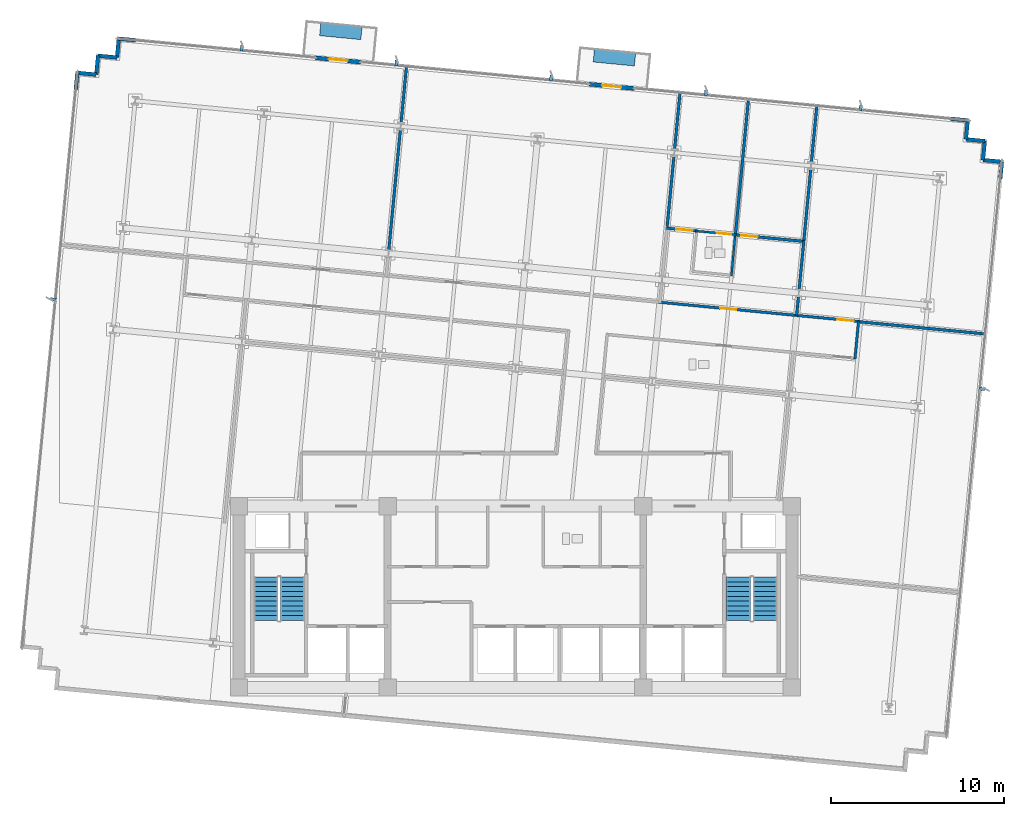
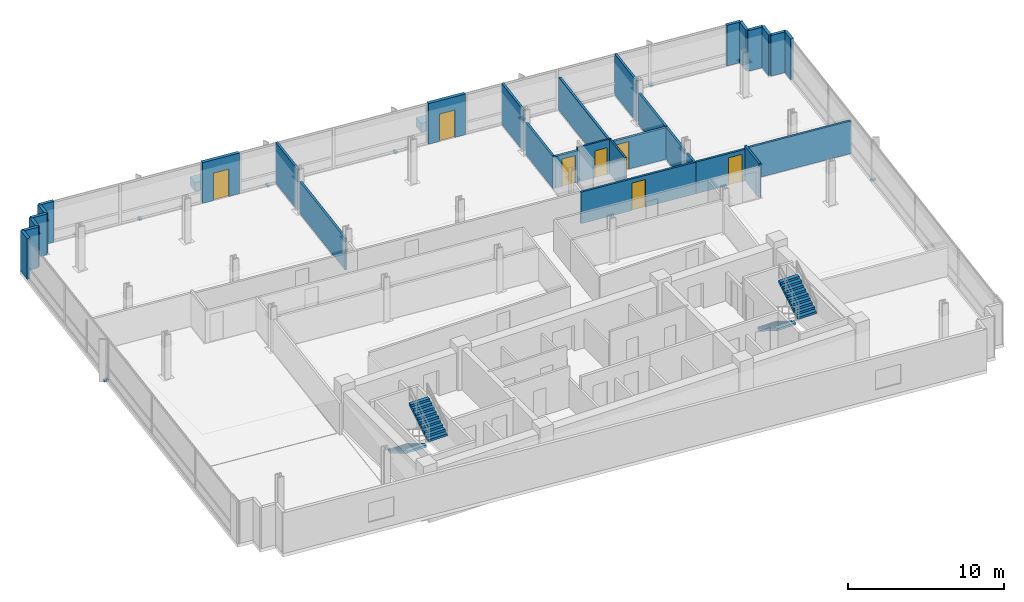
# One storey, part 12 of 16: 31 walls, 9 discrete accessories, 7 doors, 4 stair flights, 7 openings, 2 elements without a shape of their own.
"""IFC4 building model written with IfcOpenShell, lengths in metres."""

import ifcopenshell
import ifcopenshell.guid

model = None  # the IFC model being written
_history = None  # IfcOwnerHistory: only IFC2X3 demands one
_inside = {}  # id of a spatial element -> (the spatial element, [elements in it])
_under = {}  # id of a project, library or spatial element -> (it, [spatial elements below it])
_declared = {}  # id of a project -> (the project, [libraries it declares])
_typed = {}  # id of a type object -> (the type object, [elements of that type])
_made_of = {}  # id of a material, layer set ... -> (it, [elements and type objects made of it])


def new_model(schema):
    """Start an empty IFC model of exactly this schema.

    Asked for "IFC4X3", IfcOpenShell would pick the latest addendum, in which some entities
    have other attributes; the version numbers below select the first issue.
    IFC2X3 requires an IfcOwnerHistory on every rooted entity: one is made here for all.
    """
    global model, _history
    if schema == "IFC4X3":
        model = ifcopenshell.file(schema_version=(4, 3, 0, 0))
    else:
        model = ifcopenshell.file(schema=schema)
    _inside.clear()
    _under.clear()
    _declared.clear()
    _typed.clear()
    _made_of.clear()
    _history = None
    if model.schema == "IFC2X3":
        org = make("IfcOrganization", Name="unknown")
        user = make(
            "IfcPersonAndOrganization",
            ThePerson=make("IfcPerson", FamilyName="unknown"),
            TheOrganization=org,
        )
        app = make(
            "IfcApplication",
            ApplicationDeveloper=org,
            Version="unknown",
            ApplicationFullName="unknown",
            ApplicationIdentifier="unknown",
        )
        _history = make(
            "IfcOwnerHistory",
            OwningUser=user,
            OwningApplication=app,
            ChangeAction="ADDED",
            CreationDate=0,
        )
    return model


def make(cls, **values):
    """One entity of the class cls with the attributes given. An attribute that is None is left unset."""
    return model.create_entity(
        cls, **{name: value for name, value in values.items() if value is not None}
    )


def rooted(cls, **values):
    """An entity with a GlobalId (a new one), such as an element, a storey or a relation."""
    return make(cls, GlobalId=ifcopenshell.guid.new(), OwnerHistory=_history, **values)


def si_unit(unit_type, name, prefix=None):
    """IfcSIUnit, for example si_unit("LENGTHUNIT", "METRE", prefix="MILLI")."""
    return make("IfcSIUnit", UnitType=unit_type, Prefix=prefix, Name=name)


def assignment(units):
    """IfcUnitAssignment: the units of a project."""
    return None if units is None else make("IfcUnitAssignment", Units=units)


def point(xyz):
    """IfcCartesianPoint."""
    return None if xyz is None else make("IfcCartesianPoint", Coordinates=xyz)


def direction(xyz):
    """IfcDirection."""
    return None if xyz is None else make("IfcDirection", DirectionRatios=xyz)


def frame(location, z_axis=None, x_axis=None):
    """IfcAxis2Placement3D, a coordinate frame: its origin and axes. An axis left out is left unset."""
    return make(
        "IfcAxis2Placement3D",
        Location=point(location),
        Axis=direction(z_axis),
        RefDirection=direction(x_axis),
    )


def frame_2d(location, x_axis=None):
    """IfcAxis2Placement2D, a coordinate frame in the plane: its origin and x axis."""
    return make(
        "IfcAxis2Placement2D", Location=point(location), RefDirection=direction(x_axis)
    )


def origin():
    """The frame at (0, 0, 0) with its axes left unset."""
    return frame((0.0, 0.0, 0.0))


def origin_2d():
    """The frame at (0, 0) in the plane with its x axis left unset."""
    return frame_2d((0.0, 0.0))


def place(relative_to, where):
    """IfcLocalPlacement: puts the frame where relative to a parent placement (None: the world)."""
    return make(
        "IfcLocalPlacement", PlacementRelTo=relative_to, RelativePlacement=where
    )


def context(
    kind, dimensions, precision=None, world=None, true_north=None, identifier=None
):
    """IfcGeometricRepresentationContext, for example the 3D "Model" context."""
    return make(
        "IfcGeometricRepresentationContext",
        ContextIdentifier=identifier,
        ContextType=kind,
        CoordinateSpaceDimension=dimensions,
        Precision=precision,
        WorldCoordinateSystem=world,
        TrueNorth=true_north,
    )


def subcontext(parent, identifier, kind, view, scale=None):
    """IfcGeometricRepresentationSubContext, for example "Body" below "Model"."""
    return make(
        "IfcGeometricRepresentationSubContext",
        ContextIdentifier=identifier,
        ContextType=kind,
        ParentContext=parent,
        TargetScale=scale,
        TargetView=view,
    )


def project(units=None, contexts=None):
    """IfcProject with its units and contexts."""
    return rooted(
        "IfcProject",
        Name="project",
        RepresentationContexts=contexts,
        UnitsInContext=assignment(units),
    )


def spatial(cls, under=None, at=None, **own):
    """A site, building, storey or space (cls), placed at a placement, below another one or the project."""
    s = rooted(cls, ObjectPlacement=at, **own)
    if under is not None:
        _under.setdefault(under.id(), (under, []))[1].append(s)
    return s


def polyline(points):
    """IfcPolyline through the points."""
    return make("IfcPolyline", Points=[point(p) for p in points])


def profile(cls, at=None, kind="AREA", **sizes):
    """A parametric profile (cls). Its sizes go by their IFC names, for example OverallWidth=200.0."""
    return make(cls, ProfileType=kind, Position=at, **sizes)


def rectangle(**sizes):
    """IfcRectangleProfileDef."""
    return profile("IfcRectangleProfileDef", **sizes)


def outline(outer, holes=None, kind="AREA"):
    """IfcArbitraryClosedProfileDef: a profile drawn as a closed curve; with holes, ...WithVoids."""
    if holes is None:
        return make("IfcArbitraryClosedProfileDef", ProfileType=kind, OuterCurve=outer)
    return make(
        "IfcArbitraryProfileDefWithVoids",
        ProfileType=kind,
        OuterCurve=outer,
        InnerCurves=holes,
    )


def extrude(swept, where, along, depth):
    """IfcExtrudedAreaSolid: the profile swept, set in the frame where, extruded along a direction by depth."""
    return make(
        "IfcExtrudedAreaSolid",
        SweptArea=swept,
        Position=where,
        ExtrudedDirection=direction(along),
        Depth=depth,
    )


def shape(context_of_items, identifier, shape_type, items):
    """IfcShapeRepresentation: the items that make up one representation, for example the "Body"."""
    return make(
        "IfcShapeRepresentation",
        ContextOfItems=context_of_items,
        RepresentationIdentifier=identifier,
        RepresentationType=shape_type,
        Items=items,
    )


def material(Name=None, Category=None):
    """IfcMaterial."""
    return make("IfcMaterial", Name=Name, Category=Category)


def layer(
    of_material, thickness, ventilated=None, Name=None, Category=None, Priority=None
):
    """IfcMaterialLayer: one layer of a wall or slab, of a material (None: an air gap)."""
    return make(
        "IfcMaterialLayer",
        Material=of_material,
        LayerThickness=thickness,
        IsVentilated=ventilated,
        Name=Name,
        Category=Category,
        Priority=Priority,
    )


def layer_set(layers, Name=None):
    """IfcMaterialLayerSet."""
    return make("IfcMaterialLayerSet", MaterialLayers=layers, LayerSetName=Name)


def made_of(thing, what):
    """Note that an element or type object is made of a material, layer set ...; save() writes the relation."""
    if what is not None:
        _made_of.setdefault(what.id(), (what, []))[1].append(thing)
    return thing


def type_object(cls, material=None, **own):
    """A type object (cls), such as IfcWallType, which elements share."""
    return made_of(rooted(cls, **own), material)


def element(
    cls,
    number,
    at=None,
    inside=None,
    cuts=None,
    type_object=None,
    material=None,
    context=None,
    identifier="Body",
    shape_type=None,
    held_by="IfcProductDefinitionShape",
    body=None,
    shapes=None,
    **own,
):
    """One element of the class cls, such as IfcWall. Its Tag is "e" and its number.

    at: its placement. inside: the storey or other place that contains it. cuts: it is an
    opening in that element (IfcRelVoidsElement). A single representation is given by context,
    identifier, shape_type and body (its items); several are given by shapes. held_by: the class
    of the entity that holds the representations. save() writes the other relations.
    """
    e = rooted(cls, Tag="e%d" % number, ObjectPlacement=at, **own)
    if body is not None:
        shapes = [shape(context, identifier, shape_type, body)]
    if shapes is not None:
        e.Representation = make(held_by, Representations=shapes)
    if inside is not None:
        _inside.setdefault(inside.id(), (inside, []))[1].append(e)
    if cuts is not None:
        rooted(
            "IfcRelVoidsElement", RelatingBuildingElement=cuts, RelatedOpeningElement=e
        )
    if type_object is not None:
        _typed.setdefault(type_object.id(), (type_object, []))[1].append(e)
    return made_of(e, material)


def fill(opening, filler):
    """IfcRelFillsElement: the door or window that sits in an opening."""
    return rooted(
        "IfcRelFillsElement",
        RelatingOpeningElement=opening,
        RelatedBuildingElement=filler,
    )


def aggregate(whole, parts):
    """IfcRelAggregates: a whole, such as a stair, and the parts it consists of."""
    return rooted("IfcRelAggregates", RelatingObject=whole, RelatedObjects=parts)


def save(model, path):
    """Write the relations noted so far, then the file.

    IfcRelAggregates (storeys below a building ...), IfcRelContainedInSpatialStructure (elements
    in a storey), IfcRelDefinesByType, IfcRelAssociatesMaterial and IfcRelDeclares: one each for
    every whole, place, type object, material and project.
    """
    for whole, parts in _under.values():
        aggregate(whole, parts)
    for where, things in _inside.values():
        rooted(
            "IfcRelContainedInSpatialStructure",
            RelatedElements=things,
            RelatingStructure=where,
        )
    for kind, things in _typed.values():
        rooted("IfcRelDefinesByType", RelatedObjects=things, RelatingType=kind)
    for what, things in _made_of.values():
        rooted("IfcRelAssociatesMaterial", RelatedObjects=things, RelatingMaterial=what)
    for by, libraries in _declared.values():
        rooted("IfcRelDeclares", RelatingContext=by, RelatedDefinitions=libraries)
    model.write(path)


model = new_model("IFC4")

# Units and contexts
model_context = context("Model", 3, precision=1e-05, world=origin(), true_north=direction((0.0, 1.0)))
body_context = subcontext(model_context, "Body", "Model", "MODEL_VIEW")
ifc_project = project(units=[si_unit("LENGTHUNIT", "METRE"), si_unit("AREAUNIT", "SQUARE_METRE"), si_unit("VOLUMEUNIT", "CUBIC_METRE"), si_unit("PLANEANGLEUNIT", "RADIAN"), si_unit("MASSUNIT", "GRAM", prefix="KILO")], contexts=[model_context])

# Site, building, storey
site_placement = place(None, origin())
site = spatial("IfcSite", under=ifc_project, at=site_placement, CompositionType="ELEMENT")
building_placement = place(site_placement, origin())
building = spatial("IfcBuilding", under=site, at=building_placement, Name="Solmavex Isthmus Hotel", CompositionType="ELEMENT")
storey_placement = place(building_placement, frame((0.0, 0.0, 166.949951171875)))
storey = spatial("IfcBuildingStorey", under=building, at=storey_placement, Name="L45", CompositionType="ELEMENT", Elevation=166.949951171875)

# Wall, opening, door
ifc_material_1 = material(Name="Precast Concrete C40/50", Category="concrete")
ifc_layer_1 = layer(ifc_material_1, 0.25)
ifc_layer_set_1 = layer_set([ifc_layer_1], Name="Precast Concrete C40/50")
wall_type_1 = type_object("IfcWallType", Name="EW-TWR-250", PredefinedType="STANDARD", material=ifc_layer_set_1)
wall_1_placement = place(storey_placement, frame((-11.5634765625, 23.46142578125, 0.0), z_axis=(0.0, 0.0, 1.0), x_axis=(0.995402144456, -0.095783979938, 0.0)))
wall_1 = element("IfcWall", 1, at=wall_1_placement, inside=storey, type_object=wall_type_1, Name="Exterior Balcony Door Wall L45-2", PredefinedType="STANDARD", context=body_context, shape_type="SweptSolid", body=[
    extrude(rectangle(XDim=2.599853515625, YDim=0.239990234375, at=frame_2d((1.2998046875, 0.0))), origin(), (0.0, 0.0, 1.0), 3.18994140625),
])
opening_1_placement = place(wall_1_placement, frame((0.75, 0.0, 0.0)))
opening_1 = element("IfcOpeningElement", 2, at=opening_1_placement, cuts=wall_1, Name="Opening ED-02", PredefinedType="OPENING", context=body_context, shape_type="SweptSolid", body=[
    extrude(rectangle(XDim=1.10009765625, YDim=2.14990234375, at=frame_2d((0.550048828125, 1.074951171875))), frame((0.0, 0.1298828125, 0.0), z_axis=(0.0, -1.0, 0.0), x_axis=(1.0, 0.0, 0.0)), (0.0, 0.0, 1.0), 0.260009765625),
])
ifc_material_2 = material(Name="Aluminium alloy 6063-T6", Category="aluminium")
door_type_1 = type_object("IfcDoorType", Name="EDR-BALC-1100", OperationType="NOTDEFINED", PredefinedType="DOOR", material=ifc_material_2)
door_1_placement = place(opening_1_placement, origin())
door_1 = element("IfcDoor", 3, at=door_1_placement, inside=storey, type_object=door_type_1, Name="Balcony & Terrace Glazed Door L45-2", OperationType="SINGLE_SWING_RIGHT", OverallHeight=2.14990234375, OverallWidth=1.10009765625, PredefinedType="DOOR", context=body_context, shape_type="SweptSolid", body=[
    extrude(rectangle(XDim=1.10009765625, YDim=2.14990234375, at=frame_2d((0.550048828125, 1.074951171875))), frame((0.0, 0.02490234375, 0.0), z_axis=(0.0, -1.0, 0.0), x_axis=(1.0, 0.0, 0.0)), (0.0, 0.0, 1.0), 0.050048828125),
])
fill(opening_1, door_1)

wall_2_placement = place(storey_placement, frame((4.275146484375, 21.9365234375, 0.0), z_axis=(0.0, 0.0, 1.0), x_axis=(0.995394049959, -0.095868061976, 0.0)))
wall_2 = element("IfcWall", 4, at=wall_2_placement, inside=storey, type_object=wall_type_1, Name="Exterior Balcony Door Wall L45-3", PredefinedType="STANDARD", context=body_context, shape_type="SweptSolid", body=[
    extrude(rectangle(XDim=2.60009765625, YDim=0.239990234375, at=frame_2d((1.300048828125, 0.0))), origin(), (0.0, 0.0, 1.0), 3.18994140625),
])
opening_2_placement = place(wall_2_placement, frame((0.75, 0.0, 0.0)))
opening_2 = element("IfcOpeningElement", 5, at=opening_2_placement, cuts=wall_2, Name="Opening ED-02", PredefinedType="OPENING", context=body_context, shape_type="SweptSolid", body=[
    extrude(rectangle(XDim=1.10009765625, YDim=2.14990234375, at=frame_2d((0.550048828125, 1.074951171875))), frame((0.0, 0.1298828125, 0.0), z_axis=(0.0, -1.0, 0.0), x_axis=(1.0, 0.0, 0.0)), (0.0, 0.0, 1.0), 0.260009765625),
])
door_2_placement = place(opening_2_placement, origin())
door_2 = element("IfcDoor", 6, at=door_2_placement, inside=storey, type_object=door_type_1, Name="Balcony & Terrace Glazed Door L45-3", OperationType="SINGLE_SWING_LEFT", OverallHeight=2.14990234375, OverallWidth=1.10009765625, PredefinedType="DOOR", context=body_context, shape_type="SweptSolid", body=[
    extrude(rectangle(XDim=1.10009765625, YDim=2.14990234375, at=frame_2d((0.550048828125, 1.074951171875))), frame((0.0, 0.02490234375, 0.0), z_axis=(0.0, -1.0, 0.0), x_axis=(1.0, 0.0, 0.0)), (0.0, 0.0, 1.0), 0.050048828125),
])
fill(opening_2, door_2)

# Walls
wall_3_placement = place(storey_placement, frame((-25.46142578125, 21.60498046875, 0.0), z_axis=(0.0, 0.0, 1.0), x_axis=(0.095937974524, 0.995387314086, 0.0)))
element("IfcWall", 7, at=wall_3_placement, inside=storey, type_object=wall_type_1, Name="Serrated Corner Facade Panel L45-07", PredefinedType="STANDARD", context=body_context, shape_type="SweptSolid", body=[
    extrude(rectangle(XDim=0.989990234375, YDim=0.219970703125, at=frame_2d((0.4951171875, 0.0))), origin(), (0.0, 0.0, 1.0), 3.18994140625),
])
for number, where, z_axis, x_axis, name in (
    (8, (-25.366455078125, 22.59033203125, 0.0), (0.0, 0.0, 1.0), (0.995414313875, -0.095657429048, 0.0), "Serrated Corner Facade Panel L45-08"),
    (9, (-24.271484375, 22.485107421875, 0.0), (0.0, 0.0, 1.0), (0.095657429048, 0.995414313875, 0.0), "Serrated Corner Facade Panel L45-09"),
    (10, (-24.166259765625, 23.580078125, 0.0), (0.0, 0.0, 1.0), (0.995393156894, -0.095877334176, 0.0), "Serrated Corner Facade Panel L45-10"),
    (11, (-23.0712890625, 23.474609375, 0.0), (0.0, 0.0, 1.0), (0.095877334176, 0.995393156894, 0.0), "Serrated Corner Facade Panel L45-11"),
):
    element("IfcWall", number, at=place(storey_placement, frame(where, z_axis=z_axis, x_axis=x_axis)), inside=storey, type_object=wall_type_1, Name=name, PredefinedType="STANDARD", context=body_context, shape_type="SweptSolid", body=[
        extrude(rectangle(XDim=1.10009765625, YDim=0.219970703125, at=frame_2d((0.550048828125, 0.0))), origin(), (0.0, 0.0, 1.0), 3.18994140625),
    ])
for number, where, z_axis, x_axis, name in (
    (12, (-22.9658203125, 24.569580078125, 0.0), (0.0, 0.0, 1.0), (0.995387314086, -0.095937974524, 0.0), "Serrated Corner Facade Panel L45-12"),
    (13, (25.201416015625, 19.931396484375, 0.0), (0.0, 0.0, 1.0), (0.99541083642, -0.095693608655, 0.0), "Serrated Corner Facade Panel L45-14"),
):
    element("IfcWall", number, at=place(storey_placement, frame(where, z_axis=z_axis, x_axis=x_axis)), inside=storey, type_object=wall_type_1, Name=name, PredefinedType="STANDARD", context=body_context, shape_type="SweptSolid", body=[
        extrude(rectangle(XDim=0.989990234375, YDim=0.219970703125, at=frame_2d((0.4951171875, 0.0))), origin(), (0.0, 0.0, 1.0), 3.18994140625),
    ])
wall_4_placement = place(storey_placement, frame((26.186767578125, 19.836669921875, 0.0), z_axis=(0.0, 0.0, 1.0), x_axis=(-0.095657429048, -0.995414313875, 0.0)))
element("IfcWall", 14, at=wall_4_placement, inside=storey, type_object=wall_type_1, Name="Serrated Corner Facade Panel L45-15", PredefinedType="STANDARD", context=body_context, shape_type="SweptSolid", body=[
    extrude(rectangle(XDim=1.10009765625, YDim=0.219970703125, at=frame_2d((0.550048828125, 0.0))), origin(), (0.0, 0.0, 1.0), 3.18994140625),
])
wall_5_placement = place(storey_placement, frame((26.08154296875, 18.74169921875, 0.0), z_axis=(0.0, 0.0, 1.0), x_axis=(0.995391116058, -0.095898519656, 0.0)))
element("IfcWall", 15, at=wall_5_placement, inside=storey, type_object=wall_type_1, Name="Serrated Corner Facade Panel L45-16", PredefinedType="STANDARD", context=body_context, shape_type="SweptSolid", body=[
    extrude(rectangle(XDim=1.099853515625, YDim=0.219970703125, at=frame_2d((0.5498046875, 0.0))), origin(), (0.0, 0.0, 1.0), 3.18994140625),
])
wall_6_placement = place(storey_placement, frame((27.17626953125, 18.63623046875, 0.0), z_axis=(0.0, 0.0, 1.0), x_axis=(-0.095657429048, -0.995414313875, 0.0)))
element("IfcWall", 16, at=wall_6_placement, inside=storey, type_object=wall_type_1, Name="Serrated Corner Facade Panel L45-17", PredefinedType="STANDARD", context=body_context, shape_type="SweptSolid", body=[
    extrude(rectangle(XDim=1.10009765625, YDim=0.219970703125, at=frame_2d((0.550048828125, 0.0))), origin(), (0.0, 0.0, 1.0), 3.18994140625),
])
wall_7_placement = place(storey_placement, frame((27.071044921875, 17.541259765625, 0.0), z_axis=(0.0, 0.0, 1.0), x_axis=(0.995391116058, -0.095898519656, 0.0)))
element("IfcWall", 17, at=wall_7_placement, inside=storey, type_object=wall_type_1, Name="Serrated Corner Facade Panel L45-18", PredefinedType="STANDARD", context=body_context, shape_type="SweptSolid", body=[
    extrude(rectangle(XDim=1.099853515625, YDim=0.219970703125, at=frame_2d((0.5498046875, 0.0))), origin(), (0.0, 0.0, 1.0), 3.18994140625),
])
wall_8_placement = place(storey_placement, frame((28.165771484375, 17.435791015625, 0.0), z_axis=(0.0, 0.0, 1.0), x_axis=(-0.095693608655, -0.99541083642, 0.0)))
element("IfcWall", 18, at=wall_8_placement, inside=storey, type_object=wall_type_1, Name="Serrated Corner Facade Panel L45-19", PredefinedType="STANDARD", context=body_context, shape_type="SweptSolid", body=[
    extrude(rectangle(XDim=0.989990234375, YDim=0.219970703125, at=frame_2d((0.4951171875, 0.0))), origin(), (0.0, 0.0, 1.0), 3.18994140625),
])
ifc_material_3 = material(Name="Gypsum plasterboard lining", Category="gypsum")
ifc_layer_2 = layer(ifc_material_3, 0.159912109375)
ifc_layer_set_2 = layer_set([ifc_layer_2], Name="Gypsum plasterboard lining")
wall_type_2 = type_object("IfcWallType", Name="IW-COMP-160", PredefinedType="PARTITIONING", material=ifc_layer_set_2)
wall_9_placement = place(storey_placement, frame((-6.66015625, 19.31640625, 0.0), z_axis=(0.0, 0.0, 1.0), x_axis=(-0.095853155488, -0.995395485515, 0.0)))
element("IfcWall", 19, at=wall_9_placement, inside=storey, type_object=wall_type_2, Name="Interior Partition Wall W-L45-P020", PredefinedType="PARTITIONING", context=body_context, shape_type="SweptSolid", body=[
    extrude(rectangle(XDim=7.0400390625, YDim=0.159912109375, at=frame_2d((3.52001953125, 0.0))), origin(), (0.0, 0.0, 1.0), 2.4794921875),
])
wall_10_placement = place(storey_placement, frame((-6.305908203125, 22.995361328125, 0.0), z_axis=(0.0, 0.0, 1.0), x_axis=(-0.095859866796, -0.995394839216, 0.0)))
element("IfcWall", 20, at=wall_10_placement, inside=storey, type_object=wall_type_2, Name="Interior Partition Wall W-L45-P021", PredefinedType="PARTITIONING", context=body_context, shape_type="SweptSolid", body=[
    extrude(rectangle(XDim=3.343994140625, YDim=0.159912109375, at=frame_2d((1.671875, 0.0))), origin(), (0.0, 0.0, 1.0), 3.18994140625),
])
wall_11_placement = place(storey_placement, frame((9.178466796875, 17.791259765625, 0.0), z_axis=(0.0, 0.0, 1.0), x_axis=(-0.095830387623, -0.995397677719, 0.0)))
element("IfcWall", 21, at=wall_11_placement, inside=storey, type_object=wall_type_2, Name="Interior Partition Wall W-L45-P025", PredefinedType="PARTITIONING", context=body_context, shape_type="SweptSolid", body=[
    extrude(rectangle(XDim=4.2978515625, YDim=0.159912109375, at=frame_2d((2.14892578125, 0.0))), origin(), (0.0, 0.0, 1.0), 2.4794921875),
])
wall_12_placement = place(storey_placement, frame((9.53271484375, 21.470458984375, 0.0), z_axis=(0.0, 0.0, 1.0), x_axis=(-0.095859866796, -0.995394839216, 0.0)))
element("IfcWall", 22, at=wall_12_placement, inside=storey, type_object=wall_type_2, Name="Interior Partition Wall W-L45-P026", PredefinedType="PARTITIONING", context=body_context, shape_type="SweptSolid", body=[
    extrude(rectangle(XDim=3.343994140625, YDim=0.159912109375, at=frame_2d((1.671875, 0.0))), origin(), (0.0, 0.0, 1.0), 3.18994140625),
])

# Wall, opening, door
wall_13_placement = place(storey_placement, frame((8.734619140625, 13.5986328125, 0.0), z_axis=(0.0, 0.0, 1.0), x_axis=(0.995394173932, -0.095866774755, 0.0)))
wall_13 = element("IfcWall", 23, at=wall_13_placement, inside=storey, type_object=wall_type_2, Name="Interior Partition Wall W-L45-P027", PredefinedType="PARTITIONING", context=body_context, shape_type="SweptSolid", body=[
    extrude(rectangle(XDim=1.80810546875, YDim=0.159912109375, at=frame_2d((0.904052734375, 0.0))), origin(), (0.0, 0.0, 1.0), 2.4794921875),
])
opening_3_placement = place(wall_13_placement, frame((0.57421875, 0.0, 0.0)))
opening_3 = element("IfcOpeningElement", 24, at=opening_3_placement, cuts=wall_13, Name="Opening ID-C095", PredefinedType="OPENING", context=body_context, shape_type="SweptSolid", body=[
    extrude(rectangle(XDim=0.949951171875, YDim=2.14990234375, at=frame_2d((0.47509765625, 1.074951171875))), frame((0.0, 0.08984375, 0.0), z_axis=(0.0, -1.0, 0.0), x_axis=(1.0, 0.0, 0.0)), (0.0, 0.0, 1.0), 0.179931640625),
])
ifc_material_4 = material(Name="Hardwood timber", Category="wood")
door_type_2 = type_object("IfcDoorType", Name="IDR-FD60-0950", OperationType="NOTDEFINED", PredefinedType="DOOR", material=ifc_material_4)
door_3_placement = place(opening_3_placement, origin())
door_3 = element("IfcDoor", 25, at=door_3_placement, inside=storey, type_object=door_type_2, Name="Diplomatic Suite Master Bedroom Door L45-04", OperationType="SINGLE_SWING_RIGHT", OverallHeight=2.14990234375, OverallWidth=0.949951171875, PredefinedType="DOOR", context=body_context, shape_type="SweptSolid", body=[
    extrude(rectangle(XDim=0.949951171875, YDim=2.14990234375, at=frame_2d((0.47509765625, 1.074951171875))), frame((0.0, 0.02490234375, 0.0), z_axis=(0.0, -1.0, 0.0), x_axis=(1.0, 0.0, 0.0)), (0.0, 0.0, 1.0), 0.050048828125),
])
fill(opening_3, door_3)

wall_14_placement = place(storey_placement, frame((12.684326171875, 13.21826171875, 0.0), z_axis=(0.0, 0.0, 1.0), x_axis=(0.995396485523, -0.095842770251, 0.0)))
wall_14 = element("IfcWall", 26, at=wall_14_placement, inside=storey, type_object=wall_type_2, Name="Interior Partition Wall W-L45-P028", PredefinedType="PARTITIONING", context=body_context, shape_type="SweptSolid", body=[
    extrude(rectangle(XDim=4.068115234375, YDim=0.159912109375, at=frame_2d((2.0341796875, 0.0))), origin(), (0.0, 0.0, 1.0), 2.4794921875),
])
opening_4_placement = place(wall_14_placement, frame((0.386474609375, 0.0, 0.0)))
opening_4 = element("IfcOpeningElement", 27, at=opening_4_placement, cuts=wall_14, Name="Opening ID-C095", PredefinedType="OPENING", context=body_context, shape_type="SweptSolid", body=[
    extrude(rectangle(XDim=0.949951171875, YDim=2.14990234375, at=frame_2d((0.47509765625, 1.074951171875))), frame((0.0, 0.08984375, 0.0), z_axis=(0.0, -1.0, 0.0), x_axis=(1.0, 0.0, 0.0)), (0.0, 0.0, 1.0), 0.179931640625),
])
door_4_placement = place(opening_4_placement, origin())
door_4 = element("IfcDoor", 28, at=door_4_placement, inside=storey, type_object=door_type_2, Name="Diplomatic Suite Panorama Sitting Study Door L45-05", OperationType="SINGLE_SWING_LEFT", OverallHeight=2.14990234375, OverallWidth=0.949951171875, PredefinedType="DOOR", context=body_context, shape_type="SweptSolid", body=[
    extrude(rectangle(XDim=0.949951171875, YDim=2.14990234375, at=frame_2d((0.47509765625, 1.074951171875))), frame((0.0, 0.02490234375, 0.0), z_axis=(0.0, -1.0, 0.0), x_axis=(1.0, 0.0, 0.0)), (0.0, 0.0, 1.0), 0.050048828125),
])
fill(opening_4, door_4)

# Walls
wall_15_placement = place(storey_placement, frame((16.389404296875, 9.6708984375, 0.0), z_axis=(0.0, 0.0, 1.0), x_axis=(-0.095811626391, -0.995399483749, 0.0)))
element("IfcWall", 29, at=wall_15_placement, inside=storey, type_object=wall_type_2, Name="Interior Partition Wall W-L45-P032", PredefinedType="PARTITIONING", context=body_context, shape_type="SweptSolid", body=[
    extrude(rectangle(XDim=1.172119140625, YDim=0.159912109375, at=frame_2d((0.5859375, 0.0))), origin(), (0.0, 0.0, 1.0), 2.4794921875),
])
wall_16_placement = place(storey_placement, frame((16.69775390625, 12.8720703125, 0.0), z_axis=(0.0, 0.0, 1.0), x_axis=(-0.095899197745, -0.995391050729, 0.0)))
element("IfcWall", 30, at=wall_16_placement, inside=storey, type_object=wall_type_2, Name="Interior Partition Wall W-L45-P033", PredefinedType="PARTITIONING", context=body_context, shape_type="SweptSolid", body=[
    extrude(rectangle(XDim=2.864013671875, YDim=0.159912109375, at=frame_2d((1.43212890625, 0.0))), origin(), (0.0, 0.0, 1.0), 2.4794921875),
])
wall_17_placement = place(storey_placement, frame((13.48095703125, 20.9697265625, 0.0), z_axis=(0.0, 0.0, 1.0), x_axis=(-0.095851985855, -0.995395598146, 0.0)))
element("IfcWall", 31, at=wall_17_placement, inside=storey, type_object=wall_type_2, Name="Interior Partition Wall W-L45-P034", PredefinedType="PARTITIONING", context=body_context, shape_type="SweptSolid", body=[
    extrude(rectangle(XDim=7.832275390625, YDim=0.159912109375, at=frame_2d((3.916015625, 0.0))), origin(), (0.0, 0.0, 1.0), 2.5576171875),
])
wall_18_placement = place(storey_placement, frame((17.097900390625, 17.02880859375, 0.0), z_axis=(0.0, 0.0, 1.0), x_axis=(-0.095856690152, -0.995395145132, 0.0)))
element("IfcWall", 32, at=wall_18_placement, inside=storey, type_object=wall_type_2, Name="Interior Partition Wall W-L45-P036", PredefinedType="PARTITIONING", context=body_context, shape_type="SweptSolid", body=[
    extrude(rectangle(XDim=4.255859375, YDim=0.159912109375, at=frame_2d((2.1279296875, 0.0))), origin(), (0.0, 0.0, 1.0), 2.4794921875),
])
wall_19_placement = place(storey_placement, frame((17.4521484375, 20.707763671875, 0.0), z_axis=(0.0, 0.0, 1.0), x_axis=(-0.095859866796, -0.995394839216, 0.0)))
element("IfcWall", 33, at=wall_19_placement, inside=storey, type_object=wall_type_2, Name="Interior Partition Wall W-L45-P037", PredefinedType="PARTITIONING", context=body_context, shape_type="SweptSolid", body=[
    extrude(rectangle(XDim=3.343994140625, YDim=0.159912109375, at=frame_2d((1.671875, 0.0))), origin(), (0.0, 0.0, 1.0), 3.18994140625),
])
wall_20_placement = place(storey_placement, frame((27.236328125, 7.468994140625, 0.0), z_axis=(0.0, 0.0, 1.0), x_axis=(-0.995396228159, 0.095845443117, 0.0)))
element("IfcWall", 34, at=wall_20_placement, inside=storey, type_object=wall_type_2, Name="Interior Partition Wall W-L45-P038", PredefinedType="PARTITIONING", context=body_context, shape_type="SweptSolid", body=[
    extrude(rectangle(XDim=7.447998046875, YDim=0.159912109375, at=frame_2d((3.72412109375, 0.0))), origin(), (0.0, 0.0, 1.0), 2.5576171875),
])

# Wall, opening, door
ifc_layer_3 = layer(ifc_material_3, 0.14990234375)
ifc_layer_set_3 = layer_set([ifc_layer_3], Name="Gypsum plasterboard lining")
wall_type_3 = type_object("IfcWallType", Name="IW-CORR-150", PredefinedType="PARTITIONING", material=ifc_layer_set_3)
wall_21_placement = place(storey_placement, frame((8.280029296875, 9.314453125, 0.0), z_axis=(0.0, 0.0, 1.0), x_axis=(0.995395467524, -0.095853342309, 0.0)))
wall_21 = element("IfcWall", 35, at=wall_21_placement, inside=storey, type_object=wall_type_3, Name="Interior Partition Wall W-L45-P003", PredefinedType="PARTITIONING", context=body_context, shape_type="SweptSolid", body=[
    extrude(rectangle(XDim=8.119873046875, YDim=0.14990234375, at=frame_2d((4.06005859375, 0.0))), origin(), (0.0, 0.0, 1.0), 2.4794921875),
])
opening_5_placement = place(wall_21_placement, frame((3.5849609375, 0.0, 0.0)))
opening_5 = element("IfcOpeningElement", 36, at=opening_5_placement, cuts=wall_21, Name="Opening ID-C095", PredefinedType="OPENING", context=body_context, shape_type="SweptSolid", body=[
    extrude(rectangle(XDim=0.949951171875, YDim=2.14990234375, at=frame_2d((0.47509765625, 1.074951171875))), frame((0.0, 0.0849609375, 0.0), z_axis=(0.0, -1.0, 0.0), x_axis=(1.0, 0.0, 0.0)), (0.0, 0.0, 1.0), 0.169921875),
])
door_5_placement = place(opening_5_placement, frame((0.949951171875, 0.0, 0.0), z_axis=(0.0, 0.0, 1.0), x_axis=(-1.0, 0.0, 0.0)))
door_5 = element("IfcDoor", 37, at=door_5_placement, inside=storey, type_object=door_type_2, Name="Diplomatic Suite Living Salon Door L45-03", OperationType="SINGLE_SWING_LEFT", OverallHeight=2.14990234375, OverallWidth=0.949951171875, PredefinedType="DOOR", context=body_context, shape_type="SweptSolid", body=[
    extrude(rectangle(XDim=0.949951171875, YDim=2.14990234375, at=frame_2d((0.47509765625, 1.074951171875))), frame((0.0, 0.02490234375, 0.0), z_axis=(0.0, -1.0, 0.0), x_axis=(1.0, 0.0, 0.0)), (0.0, 0.0, 1.0), 0.050048828125),
])
fill(opening_5, door_5)

wall_22_placement = place(storey_placement, frame((16.19921875, 8.552001953125, 0.0), z_axis=(0.0, 0.0, 1.0), x_axis=(0.995391104887, -0.095898635608, 0.0)))
wall_22 = element("IfcWall", 38, at=wall_22_placement, inside=storey, type_object=wall_type_3, Name="Interior Partition Wall W-L45-P004", PredefinedType="PARTITIONING", context=body_context, shape_type="SweptSolid", body=[
    extrude(rectangle(XDim=3.721923828125, YDim=0.14990234375, at=frame_2d((1.86083984375, 0.0))), origin(), (0.0, 0.0, 1.0), 2.4794921875),
])
opening_6_placement = place(wall_22_placement, frame((2.456787109375, 0.0, 0.0)))
opening_6 = element("IfcOpeningElement", 39, at=opening_6_placement, cuts=wall_22, Name="Opening ID-C095", PredefinedType="OPENING", context=body_context, shape_type="SweptSolid", body=[
    extrude(rectangle(XDim=0.949951171875, YDim=2.14990234375, at=frame_2d((0.47509765625, 1.074951171875))), frame((0.0, 0.0849609375, 0.0), z_axis=(0.0, -1.0, 0.0), x_axis=(1.0, 0.0, 0.0)), (0.0, 0.0, 1.0), 0.169921875),
])
door_6_placement = place(opening_6_placement, frame((0.949951171875, 0.0, 0.0), z_axis=(0.0, 0.0, 1.0), x_axis=(-1.0, 0.0, 0.0)))
door_6 = element("IfcDoor", 40, at=door_6_placement, inside=storey, type_object=door_type_2, Name="Executive Hospitality Lounge Door L45-07", OperationType="SINGLE_SWING_LEFT", OverallHeight=2.14990234375, OverallWidth=0.949951171875, PredefinedType="DOOR", context=body_context, shape_type="SweptSolid", body=[
    extrude(rectangle(XDim=0.949951171875, YDim=2.14990234375, at=frame_2d((0.47509765625, 1.074951171875))), frame((0.0, 0.02490234375, 0.0), z_axis=(0.0, -1.0, 0.0), x_axis=(1.0, 0.0, 0.0)), (0.0, 0.0, 1.0), 0.050048828125),
])
fill(opening_6, door_6)

# Walls
wall_23_placement = place(storey_placement, frame((19.8662109375, 8.218994140625, 0.0), z_axis=(0.0, 0.0, 1.0), x_axis=(-0.095773447772, -0.995403157872, 0.0)))
element("IfcWall", 41, at=wall_23_placement, inside=storey, type_object=wall_type_3, Name="Interior Partition Wall W-L45-P015", PredefinedType="PARTITIONING", context=body_context, shape_type="SweptSolid", body=[
    extrude(rectangle(XDim=2.210205078125, YDim=0.14990234375, at=frame_2d((1.10498046875, 0.0))), origin(), (0.0, 0.0, 1.0), 2.71826171875),
])
ifc_layer_4 = layer(ifc_material_3, 0.1201171875)
ifc_layer_set_4 = layer_set([ifc_layer_4], Name="Gypsum plasterboard lining")
wall_type_4 = type_object("IfcWallType", Name="IW-PART-120", PredefinedType="PARTITIONING", material=ifc_layer_set_4)
wall_24_placement = place(storey_placement, frame((12.505126953125, 10.83447265625, 0.0), z_axis=(0.0, 0.0, 1.0), x_axis=(0.091622673793, 0.995793796751, 0.0)))
element("IfcWall", 42, at=wall_24_placement, inside=storey, type_object=wall_type_4, Name="Interior Partition Wall W-L45-P031", PredefinedType="PARTITIONING", context=body_context, shape_type="SweptSolid", body=[
    extrude(rectangle(XDim=2.43017578125, YDim=0.1201171875, at=frame_2d((1.215087890625, 0.0))), origin(), (0.0, 0.0, 1.0), 2.71826171875),
])

# Wall, opening, door
wall_25_placement = place(storey_placement, frame((12.77392578125, 13.209716796875, 0.0), z_axis=(0.0, 0.0, 1.0), x_axis=(-0.995398273854, 0.095824195322, 0.0)))
wall_25 = element("IfcWall", 43, at=wall_25_placement, inside=storey, type_object=wall_type_4, Name="Interior Partition Wall W-L45-P035", PredefinedType="PARTITIONING", context=body_context, shape_type="SweptSolid", body=[
    extrude(rectangle(XDim=2.3720703125, YDim=0.1201171875, at=frame_2d((1.18603515625, 0.0))), origin(), (0.0, 0.0, 1.0), 2.71826171875),
])
opening_7_placement = place(wall_25_placement, frame((0.27978515625, 0.0, 0.0)))
opening_7 = element("IfcOpeningElement", 44, at=opening_7_placement, cuts=wall_25, Name="Opening ID-U085", PredefinedType="OPENING", context=body_context, shape_type="SweptSolid", body=[
    extrude(rectangle(XDim=0.85009765625, YDim=2.10009765625, at=frame_2d((0.425048828125, 1.050048828125))), frame((0.0, 0.070068359375, 0.0), z_axis=(0.0, -1.0, 0.0), x_axis=(1.0, 0.0, 0.0)), (0.0, 0.0, 1.0), 0.14013671875),
])
door_type_3 = type_object("IfcDoorType", Name="IDR-UNR-0850", OperationType="NOTDEFINED", PredefinedType="DOOR", material=ifc_material_4)
door_7_placement = place(opening_7_placement, frame((0.85009765625, 0.0, 0.0), z_axis=(0.0, 0.0, 1.0), x_axis=(-1.0, 0.0, 0.0)))
door_7 = element("IfcDoor", 45, at=door_7_placement, inside=storey, type_object=door_type_3, Name="En-suite Bathroom Door L45-06", OperationType="SINGLE_SWING_RIGHT", OverallHeight=2.10009765625, OverallWidth=0.85009765625, PredefinedType="DOOR", context=body_context, shape_type="SweptSolid", body=[
    extrude(rectangle(XDim=0.85009765625, YDim=2.10009765625, at=frame_2d((0.425048828125, 1.050048828125))), frame((0.0, 0.02490234375, 0.0), z_axis=(0.0, -1.0, 0.0), x_axis=(1.0, 0.0, 0.0)), (0.0, 0.0, 1.0), 0.050048828125),
])
fill(opening_7, door_7)

# Stair, stair flights
ifc_material_5 = material(Name="Concrete C40/50", Category="concrete")
stair_type_1 = type_object("IfcStairType", Name="STR-ST-1", PredefinedType="HALF_TURN_STAIR", material=ifc_material_5)
stair_1_placement = place(storey_placement, origin())
stair_1 = element("IfcStair", 46, at=stair_1_placement, inside=storey, type_object=stair_type_1, Name="L45 Protected Exit Stair ST-1", PredefinedType="HALF_TURN_STAIR")
stair_flight_type_1 = type_object("IfcStairFlightType", Name="SFL-ST-1", PredefinedType="STRAIGHT", material=ifc_material_5)
stair_flight_1_placement = place(storey_placement, frame((-14.449951171875, -6.60009765625, 0.0), z_axis=(0.0, 0.0, 1.0), x_axis=(0.0, -1.0, 0.0)))
stair_flight_1 = element("IfcStairFlight", 47, at=stair_flight_1_placement, type_object=stair_flight_type_1, Name="ST-1 flight 1", NumberOfRisers=10, NumberOfTreads=9, PredefinedType="STRAIGHT", RiserHeight=0.1725, TreadLength=0.28, context=body_context, shape_type="SweptSolid", body=[
    extrude(outline(polyline([(0.0, 0.0), (0.0, 0.172607421875), (0.280029296875, 0.172607421875), (0.280029296875, 0.344970703125), (0.56005859375, 0.344970703125), (0.56005859375, 0.517578125), (0.840087890625, 0.517578125), (0.840087890625, 0.68994140625), (1.1201171875, 0.68994140625), (1.1201171875, 0.862548828125), (1.39990234375, 0.862548828125), (1.39990234375, 1.034912109375), (1.679931640625, 1.034912109375), (1.679931640625, 1.20751953125), (1.9599609375, 1.20751953125), (1.9599609375, 1.3798828125), (2.239990234375, 1.3798828125), (2.239990234375, 1.552490234375), (2.52001953125, 1.552490234375), (2.52001953125, 1.72509765625), (2.52001953125, 1.37646484375), (0.285888671875, 0.0), (0.0, 0.0)])), frame((0.0, 0.699951171875, 0.0), z_axis=(0.0, -1.0, 0.0), x_axis=(1.0, 0.0, 0.0)), (0.0, 0.0, 1.0), 1.39990234375),
])
stair_flight_2_placement = place(storey_placement, frame((-12.89990234375, -9.1201171875, 1.72509765625), z_axis=(0.0, 0.0, 1.0), x_axis=(0.0, 1.0, 0.0)))
stair_flight_2 = element("IfcStairFlight", 48, at=stair_flight_2_placement, type_object=stair_flight_type_1, Name="ST-1 flight 2", NumberOfRisers=10, NumberOfTreads=9, PredefinedType="STRAIGHT", RiserHeight=0.1725, TreadLength=0.28, context=body_context, shape_type="SweptSolid", body=[
    extrude(outline(polyline([(0.0, 0.0), (0.0, 0.172607421875), (0.280029296875, 0.172607421875), (0.280029296875, 0.344970703125), (0.56005859375, 0.344970703125), (0.56005859375, 0.517578125), (0.840087890625, 0.517578125), (0.840087890625, 0.68994140625), (1.1201171875, 0.68994140625), (1.1201171875, 0.862548828125), (1.39990234375, 0.862548828125), (1.39990234375, 1.034912109375), (1.679931640625, 1.034912109375), (1.679931640625, 1.20751953125), (1.9599609375, 1.20751953125), (1.9599609375, 1.3798828125), (2.239990234375, 1.3798828125), (2.239990234375, 1.552490234375), (2.52001953125, 1.552490234375), (2.52001953125, 1.72509765625), (2.52001953125, 1.37646484375), (0.285888671875, 0.0), (0.0, 0.0)])), frame((0.0, 0.699951171875, 0.0), z_axis=(0.0, -1.0, 0.0), x_axis=(1.0, 0.0, 0.0)), (0.0, 0.0, 1.0), 1.39990234375),
])
aggregate(stair_1, [stair_flight_1, stair_flight_2])

stair_type_2 = type_object("IfcStairType", Name="STR-ST-2", PredefinedType="HALF_TURN_STAIR", material=ifc_material_5)
stair_2_placement = place(storey_placement, origin())
stair_2 = element("IfcStair", 49, at=stair_2_placement, inside=storey, type_object=stair_type_2, Name="L45 Protected Exit Stair ST-2", PredefinedType="HALF_TURN_STAIR")
stair_flight_type_2 = type_object("IfcStairFlightType", Name="SFL-ST-2", PredefinedType="STRAIGHT", material=ifc_material_5)
stair_flight_3_placement = place(storey_placement, frame((12.89990234375, -6.60009765625, 0.0), z_axis=(0.0, 0.0, 1.0), x_axis=(0.0, -1.0, 0.0)))
stair_flight_3 = element("IfcStairFlight", 50, at=stair_flight_3_placement, type_object=stair_flight_type_2, Name="ST-2 flight 1", NumberOfRisers=10, NumberOfTreads=9, PredefinedType="STRAIGHT", RiserHeight=0.1725, TreadLength=0.28, context=body_context, shape_type="SweptSolid", body=[
    extrude(outline(polyline([(0.0, 0.0), (0.0, 0.172607421875), (0.280029296875, 0.172607421875), (0.280029296875, 0.344970703125), (0.56005859375, 0.344970703125), (0.56005859375, 0.517578125), (0.840087890625, 0.517578125), (0.840087890625, 0.68994140625), (1.1201171875, 0.68994140625), (1.1201171875, 0.862548828125), (1.39990234375, 0.862548828125), (1.39990234375, 1.034912109375), (1.679931640625, 1.034912109375), (1.679931640625, 1.20751953125), (1.9599609375, 1.20751953125), (1.9599609375, 1.3798828125), (2.239990234375, 1.3798828125), (2.239990234375, 1.552490234375), (2.52001953125, 1.552490234375), (2.52001953125, 1.72509765625), (2.52001953125, 1.37646484375), (0.285888671875, 0.0), (0.0, 0.0)])), frame((0.0, 0.699951171875, 0.0), z_axis=(0.0, -1.0, 0.0), x_axis=(1.0, 0.0, 0.0)), (0.0, 0.0, 1.0), 1.39990234375),
])
stair_flight_4_placement = place(storey_placement, frame((14.449951171875, -9.1201171875, 1.72509765625), z_axis=(0.0, 0.0, 1.0), x_axis=(0.0, 1.0, 0.0)))
stair_flight_4 = element("IfcStairFlight", 51, at=stair_flight_4_placement, type_object=stair_flight_type_2, Name="ST-2 flight 2", NumberOfRisers=10, NumberOfTreads=9, PredefinedType="STRAIGHT", RiserHeight=0.1725, TreadLength=0.28, context=body_context, shape_type="SweptSolid", body=[
    extrude(outline(polyline([(0.0, 0.0), (0.0, 0.172607421875), (0.280029296875, 0.172607421875), (0.280029296875, 0.344970703125), (0.56005859375, 0.344970703125), (0.56005859375, 0.517578125), (0.840087890625, 0.517578125), (0.840087890625, 0.68994140625), (1.1201171875, 0.68994140625), (1.1201171875, 0.862548828125), (1.39990234375, 0.862548828125), (1.39990234375, 1.034912109375), (1.679931640625, 1.034912109375), (1.679931640625, 1.20751953125), (1.9599609375, 1.20751953125), (1.9599609375, 1.3798828125), (2.239990234375, 1.3798828125), (2.239990234375, 1.552490234375), (2.52001953125, 1.552490234375), (2.52001953125, 1.72509765625), (2.52001953125, 1.37646484375), (0.285888671875, 0.0), (0.0, 0.0)])), frame((0.0, 0.699951171875, 0.0), z_axis=(0.0, -1.0, 0.0), x_axis=(1.0, 0.0, 0.0)), (0.0, 0.0, 1.0), 1.39990234375),
])
aggregate(stair_2, [stair_flight_3, stair_flight_4])

# Discrete accessories
ifc_material_6 = material(Name="Steel ASTM A572 Grade 50", Category="steel")
discrete_accessory_type_1 = type_object("IfcDiscreteAccessoryType", Name="ACC-BRK-FIN", PredefinedType="BRACKET", material=ifc_material_6)
for number, where, z_axis, x_axis, name in (
    (52, (-15.84619140625, 24.0146484375, -0.169921875), (0.0, 0.0, 1.0), (0.09584575252, 0.995396198367, 0.0), "Facade Fin Support Bracket L45-N1"),
    (53, (-6.8876953125, 23.15185546875, -0.169921875), (0.0, 0.0, 1.0), (0.09584575252, 0.995396198367, 0.0), "Facade Fin Support Bracket L45-N2"),
    (54, (2.07080078125, 22.289306640625, -0.169921875), (0.0, 0.0, 1.0), (0.09584575252, 0.995396198367, 0.0), "Facade Fin Support Bracket L45-N3"),
    (55, (11.029541015625, 21.4267578125, -0.169921875), (0.0, 0.0, 1.0), (0.09584575252, 0.995396198367, 0.0), "Facade Fin Support Bracket L45-N4"),
    (56, (19.988037109375, 20.56396484375, -0.169921875), (0.0, 0.0, 1.0), (0.09584575252, 0.995396198367, 0.0), "Facade Fin Support Bracket L45-N5"),
    (57, (-26.76025390625, 9.4736328125, -0.169921875), (0.0, 0.0, 1.0), (-0.995396198367, 0.09584575252, 0.0), "Facade Fin Support Bracket L45-W1"),
    (58, (27.031005859375, 4.294189453125, -0.169921875), (0.0, 0.0, 1.0), (0.995396198367, -0.09584575252, 0.0), "Facade Fin Support Bracket L45-E1"),
):
    element("IfcDiscreteAccessory", number, at=place(storey_placement, frame(where, z_axis=z_axis, x_axis=x_axis)), inside=storey, type_object=discrete_accessory_type_1, Name=name, PredefinedType="BRACKET", context=body_context, shape_type="SweptSolid", body=[
        extrude(rectangle(XDim=0.340087890625, YDim=0.179931640625, at=origin_2d()), origin(), (0.0, 0.0, 1.0), 0.159912109375),
    ])
discrete_accessory_type_2 = type_object("IfcDiscreteAccessoryType", Name="ACC-PLN-BALC", PredefinedType="USERDEFINED", material=ifc_material_1)
for number, where, z_axis, x_axis, name in (
    (59, (-10.109375, 24.999267578125, 0.0), (0.0, 0.0, 1.0), (0.995396198367, -0.09584575252, 0.0), "Tree-Balcony Architectural Planter L45-B1"),
    (60, (5.729248046875, 23.47412109375, 0.0), (0.0, 0.0, 1.0), (0.995396198367, -0.09584575252, 0.0), "Tree-Balcony Architectural Planter L45-B2"),
):
    element("IfcDiscreteAccessory", number, at=place(storey_placement, frame(where, z_axis=z_axis, x_axis=x_axis)), inside=storey, type_object=discrete_accessory_type_2, Name=name, ObjectType="PLANTER", PredefinedType="USERDEFINED", context=body_context, shape_type="SweptSolid", body=[
        extrude(rectangle(XDim=2.39990234375, YDim=0.75, at=origin_2d()), origin(), (0.0, 0.0, 1.0), 0.699951171875),
    ])

save(model, "model.ifc")
